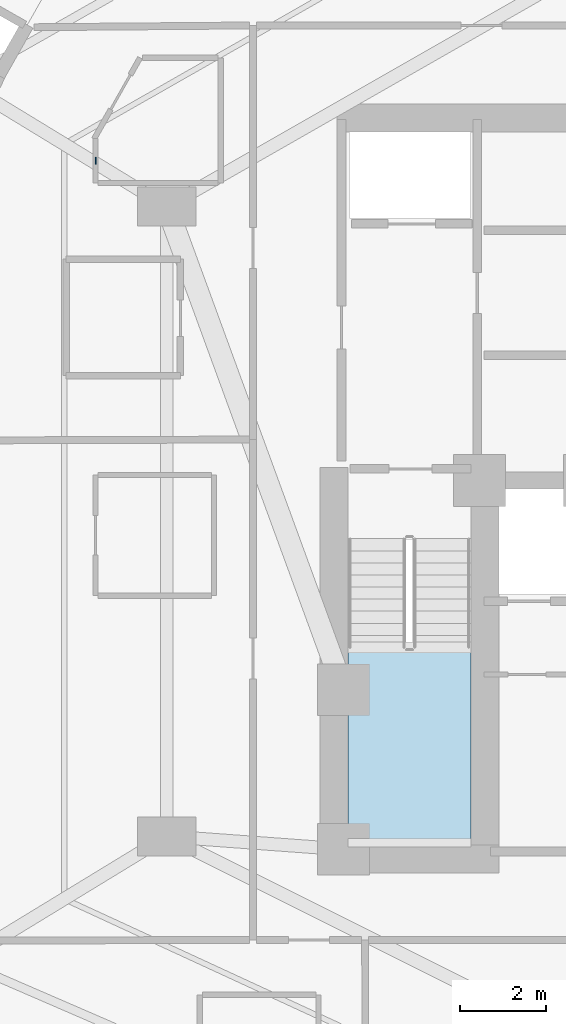
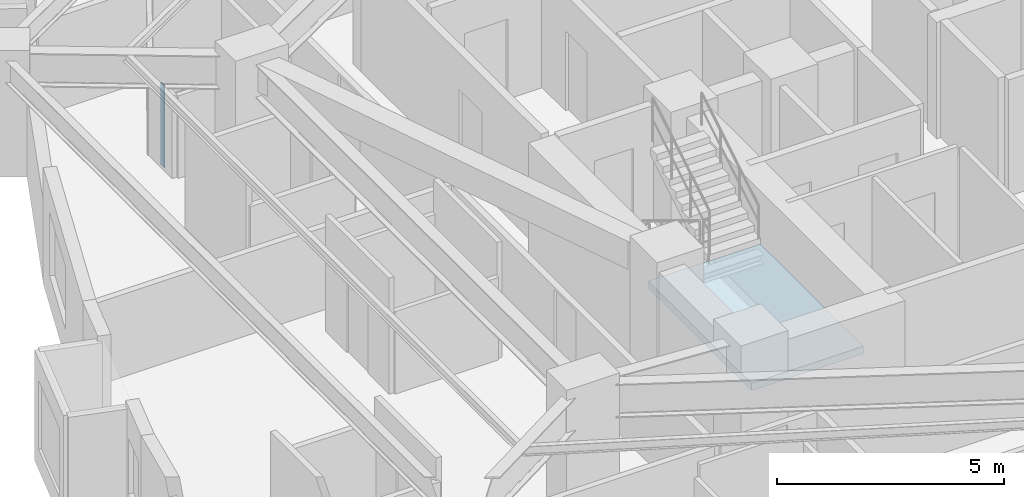
# One storey, part 4 of 13: 1 plate, 1 slab, 1 element without a shape of its own.
"""IFC4 building model written with IfcOpenShell, lengths in metres."""

from ifc_helpers import new_model, si_unit, direction, frame, origin, origin_2d, place, context, subcontext, project, spatial, polyline, rectangle, outline, extrude, material, layer, layer_set, type_object, element, aggregate, save


model = new_model("IFC4")

# Units and contexts
model_context = context("Model", 3, precision=1e-05, world=origin(), true_north=direction((0.0, 1.0)))
body_context = subcontext(model_context, "Body", "Model", "MODEL_VIEW")
ifc_project = project(units=[si_unit("LENGTHUNIT", "METRE"), si_unit("AREAUNIT", "SQUARE_METRE"), si_unit("VOLUMEUNIT", "CUBIC_METRE"), si_unit("PLANEANGLEUNIT", "RADIAN"), si_unit("MASSUNIT", "GRAM", prefix="KILO")], contexts=[model_context])

# Site, building, storey
site_placement = place(None, origin())
site = spatial("IfcSite", under=ifc_project, at=site_placement, CompositionType="ELEMENT")
building_placement = place(site_placement, origin())
building = spatial("IfcBuilding", under=site, at=building_placement, Name="Miruveldt Soraemaru", CompositionType="ELEMENT")
storey_placement = place(building_placement, frame((0.0, 0.0, 70.0)))
storey = spatial("IfcBuildingStorey", under=building, at=storey_placement, Name="L19", CompositionType="ELEMENT", Elevation=70.0)

# Plate
ifc_material_1 = material(Name="Anodised aluminium EN AW-6063 T6", Category="aluminium")
ifc_layer_1 = layer(ifc_material_1, 0.02001953125, Name="Anodised aluminium EN AW-6063 T6", Category="aluminium")
ifc_layer_set_1 = layer_set([ifc_layer_1], Name="Anodised aluminium EN AW-6063 T6")
plate_type = type_object("IfcPlateType", Name="PLT-PART-TRIM", PredefinedType="SHEET", material=ifc_layer_set_1)
plate_placement = place(storey_placement, frame((29.75, 51.466552734375, 0.0), z_axis=(0.0, 0.0, 1.0), x_axis=(0.0, 1.0, 0.0)))
element("IfcPlate", 1, at=plate_placement, inside=storey, type_object=plate_type, Name="L19 Partition Step Corner Trim Plate 047", PredefinedType="SHEET", context=body_context, shape_type="SweptSolid", body=[
    extrude(rectangle(XDim=0.159912109375, YDim=0.02001953125, at=origin_2d()), origin(), (0.0, 0.0, 1.0), 2.219970703125),
])

# Stair, slab
ifc_material_2 = material(Name="Concrete C40/50 (40 MPa)", Category="concrete")
stair_type = type_object("IfcStairType", Name="STAIR-DL-340", PredefinedType="HALF_TURN_STAIR", material=ifc_material_2)
stair_placement = place(storey_placement, origin())
stair = element("IfcStair", 2, at=stair_placement, inside=storey, type_object=stair_type, Name="L19 Protected Exit Stair ST-1", PredefinedType="HALF_TURN_STAIR")
ifc_layer_2 = layer(ifc_material_2, 0.199951171875, Name="Concrete C40/50 (40 MPa)", Category="concrete")
ifc_layer_set_2 = layer_set([ifc_layer_2], Name="Concrete C40/50 (40 MPa)")
slab_type = type_object("IfcSlabType", Name="SLAB-LAND-200", PredefinedType="LANDING", material=ifc_layer_set_2)
slab_placement = place(storey_placement, frame((0.0, 0.0, 1.5)))
slab = element("IfcSlab", 3, at=slab_placement, type_object=slab_type, Name="ST-1 landing 1", PredefinedType="LANDING", context=body_context, shape_type="SweptSolid", body=[
    extrude(outline(polyline([(35.60009765625, 40.197998046875), (35.60009765625, 35.64990234375), (38.449951171875, 35.64990234375), (38.449951171875, 40.197998046875), (35.60009765625, 40.197998046875)])), origin(), (0.0, 0.0, 1.0), 0.199951171875),
])
aggregate(stair, [slab])

save(model, "model.ifc")
